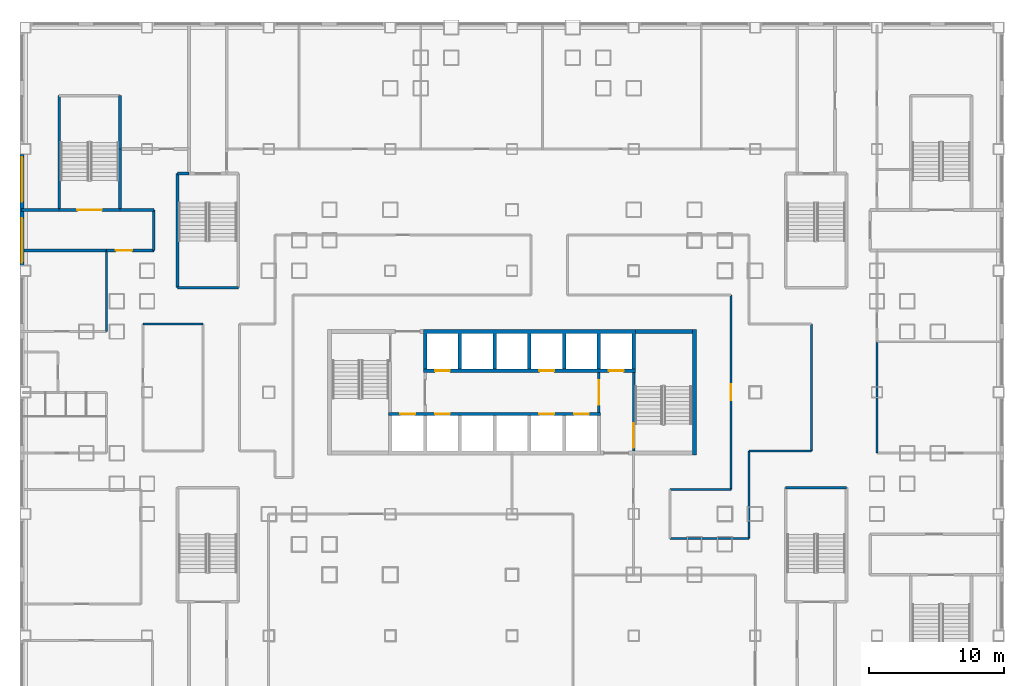
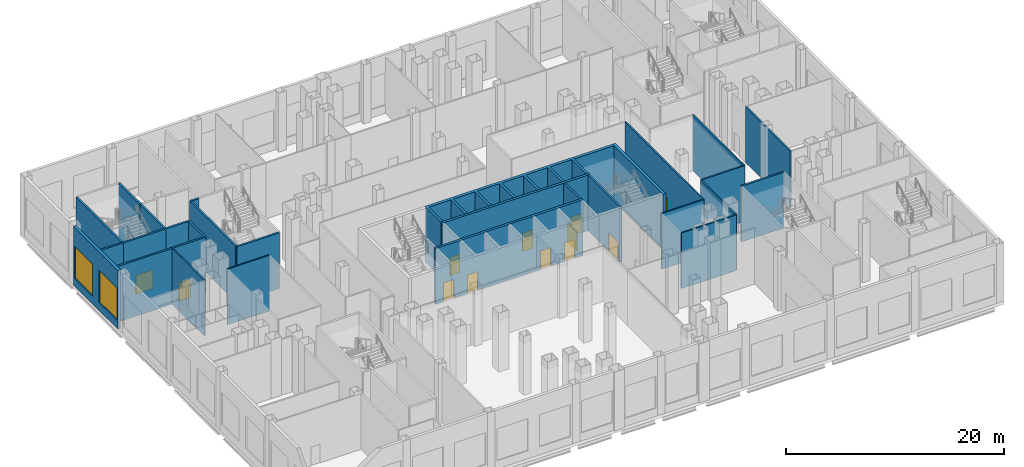
# One storey, part 5 of 26: 30 walls, 12 doors, 2 windows, 14 openings.
"""IFC4 building model written with IfcOpenShell, lengths in metres."""

from ifc_helpers import new_model, si_unit, direction, frame, frame_2d, origin, place, context, subcontext, project, spatial, polyline, rectangle, outline, extrude, material, layer, layer_set, type_object, element, fill, save


model = new_model("IFC4")

# Units and contexts
model_context = context("Model", 3, precision=1e-05, world=origin(), true_north=direction((0.0, 1.0)))
body_context = subcontext(model_context, "Body", "Model", "MODEL_VIEW")
ifc_project = project(units=[si_unit("LENGTHUNIT", "METRE"), si_unit("AREAUNIT", "SQUARE_METRE"), si_unit("VOLUMEUNIT", "CUBIC_METRE"), si_unit("PLANEANGLEUNIT", "RADIAN"), si_unit("MASSUNIT", "GRAM", prefix="KILO")], contexts=[model_context])

# Site, building, storey
site_placement = place(None, origin())
site = spatial("IfcSite", under=ifc_project, at=site_placement, CompositionType="ELEMENT")
building_placement = place(site_placement, origin())
building = spatial("IfcBuilding", under=site, at=building_placement, Name="Caravel Reach Hotel and Residences", CompositionType="ELEMENT")
storey_placement = place(building_placement, frame((0.0, 0.0, 17.39990234375)))
storey = spatial("IfcBuildingStorey", under=building, at=storey_placement, Name="L03", CompositionType="ELEMENT", Elevation=17.39990234375)

# Wall, opening, door
ifc_material_1 = material(Name="Autoclaved aerated block wall")
ifc_layer_1 = layer(ifc_material_1, 0.199951171875)
ifc_layer_set_1 = layer_set([ifc_layer_1], Name="Compartment wall 200 mm EI 120")
wall_type_1 = type_object("IfcWallType", Name="Compartment wall 200 mm EI 120", PredefinedType="PARTITIONING", material=ifc_layer_set_1)
wall_1_placement = place(storey_placement, frame((1.5, 37.5, 0.0), z_axis=(0.0, 0.0, 1.0), x_axis=(1.0, 0.0, 0.0)))
wall_1 = element("IfcWall", 1, at=wall_1_placement, inside=storey, type_object=wall_type_1, Name="L03 wall w073", PredefinedType="PARTITIONING", context=body_context, shape_type="SweptSolid", body=[
    extrude(rectangle(XDim=3.5, YDim=0.199951171875, at=frame_2d((1.75, 0.0))), origin(), (0.0, 0.0, 1.0), 6.25),
])
opening_1_placement = place(wall_1_placement, frame((0.699951171875, 0.0, 0.0)))
opening_1 = element("IfcOpeningElement", 2, at=opening_1_placement, cuts=wall_1, Name="Opening D03-022", PredefinedType="OPENING", context=body_context, shape_type="SweptSolid", body=[
    extrude(rectangle(XDim=1.199951171875, YDim=2.10009765625, at=frame_2d((0.60009765625, 1.050048828125))), frame((0.0, 0.10986328125, 0.0), z_axis=(0.0, -1.0, 0.0), x_axis=(1.0, 0.0, 0.0)), (0.0, 0.0, 1.0), 0.219970703125),
])
ifc_material_2 = material(Name="Steel fire door leaf", Category="steel")
door_type_1 = type_object("IfcDoorType", Name="Fire lobby door 1200 x 2100 EI 90", OperationType="SINGLE_SWING_LEFT", PredefinedType="DOOR", material=ifc_material_2)
door_1_placement = place(opening_1_placement, origin())
door_1 = element("IfcDoor", 3, at=door_1_placement, inside=storey, type_object=door_type_1, Name="door D03-022", OperationType="SINGLE_SWING_LEFT", OverallHeight=2.10009765625, OverallWidth=1.199951171875, PredefinedType="DOOR", context=body_context, shape_type="SweptSolid", body=[
    extrude(rectangle(XDim=1.199951171875, YDim=2.10009765625, at=frame_2d((0.60009765625, 1.050048828125))), frame((0.0, 0.02490234375, 0.0), z_axis=(0.0, -1.0, 0.0), x_axis=(1.0, 0.0, 0.0)), (0.0, 0.0, 1.0), 0.050048828125),
])
fill(opening_1, door_1)

# Walls
wall_2_placement = place(storey_placement, frame((-4.6201171875, 37.5, 0.0), z_axis=(0.0, 0.0, 1.0), x_axis=(1.0, 0.0, 0.0)))
element("IfcWall", 4, at=wall_2_placement, inside=storey, type_object=wall_type_1, Name="L03 wall w074", PredefinedType="PARTITIONING", context=body_context, shape_type="SweptSolid", body=[
    extrude(rectangle(XDim=6.1201171875, YDim=0.199951171875, at=frame_2d((3.06005859375, 0.0))), origin(), (0.0, 0.0, 1.0), 6.25),
])
wall_3_placement = place(storey_placement, frame((2.5, 40.5, 0.0), z_axis=(0.0, 0.0, 1.0), x_axis=(1.0, 0.0, 0.0)))
element("IfcWall", 5, at=wall_3_placement, inside=storey, type_object=wall_type_1, Name="L03 wall w079", PredefinedType="PARTITIONING", context=body_context, shape_type="SweptSolid", body=[
    extrude(rectangle(XDim=2.5, YDim=0.199951171875, at=frame_2d((1.25, 0.0))), origin(), (0.0, 0.0, 1.0), 6.25),
])
wall_4_placement = place(storey_placement, frame((-4.7900390625, 40.5, 0.0), z_axis=(0.0, 0.0, 1.0), x_axis=(1.0, 0.0, 0.0)))
element("IfcWall", 6, at=wall_4_placement, inside=storey, type_object=wall_type_1, Name="L03 wall w080", PredefinedType="PARTITIONING", context=body_context, shape_type="SweptSolid", body=[
    extrude(rectangle(XDim=2.7900390625, YDim=0.199951171875, at=frame_2d((1.39501953125, 0.0))), origin(), (0.0, 0.0, 1.0), 6.25),
])
wall_5_placement = place(storey_placement, frame((5.0, 37.5, 0.0), z_axis=(0.0, 0.0, 1.0), x_axis=(0.0, 1.0, 0.0)))
element("IfcWall", 7, at=wall_5_placement, inside=storey, type_object=wall_type_1, Name="L03 wall w088", PredefinedType="PARTITIONING", context=body_context, shape_type="SweptSolid", body=[
    extrude(rectangle(XDim=3.0, YDim=0.199951171875, at=frame_2d((1.5, 0.0))), origin(), (0.0, 0.0, 1.0), 6.25),
])
ifc_material_3 = material(Name="Concrete C60", Category="concrete")
ifc_layer_2 = layer(ifc_material_3, 0.300048828125)
ifc_layer_set_2 = layer_set([ifc_layer_2], Name="Core wall 300 mm EI 120")
wall_type_2 = type_object("IfcWallType", Name="Core wall 300 mm EI 120", PredefinedType="SHEAR", material=ifc_layer_set_2)
wall_6_placement = place(storey_placement, frame((40.625, 31.5, 0.0), z_axis=(0.0, 0.0, 1.0), x_axis=(1.0, 0.0, 0.0)))
element("IfcWall", 8, at=wall_6_placement, inside=storey, type_object=wall_type_2, Name="L03 core wall N2", PredefinedType="SHEAR", context=body_context, shape_type="SweptSolid", body=[
    extrude(rectangle(XDim=4.22509765625, YDim=0.300048828125, at=frame_2d((2.112548828125, 0.0))), origin(), (0.0, 0.0, 1.0), 6.25),
])
wall_7_placement = place(storey_placement, frame((45.0, 22.35009765625, 0.0), z_axis=(0.0, 0.0, 1.0), x_axis=(0.0, 1.0, 0.0)))
element("IfcWall", 9, at=wall_7_placement, inside=storey, type_object=wall_type_2, Name="L03 core wall E", PredefinedType="SHEAR", context=body_context, shape_type="SweptSolid", body=[
    extrude(rectangle(XDim=9.2998046875, YDim=0.300048828125, at=frame_2d((4.64990234375, 0.0))), origin(), (0.0, 0.0, 1.0), 6.25),
])
ifc_material_4 = material(Name="Gypsum board on steel stud, fire-rated", Category="steel")
ifc_layer_3 = layer(ifc_material_4, 0.14990234375)
ifc_layer_set_3 = layer_set([ifc_layer_3], Name="Corridor wall 150 mm EI 60")
wall_type_3 = type_object("IfcWallType", Name="Corridor wall 150 mm EI 60", PredefinedType="PARTITIONING", material=ifc_layer_set_3)
wall_8_placement = place(storey_placement, frame((43.199951171875, 16.199951171875, 0.0), z_axis=(0.0, 0.0, 1.0), x_axis=(1.0, 0.0, 0.0)))
element("IfcWall", 10, at=wall_8_placement, inside=storey, type_object=wall_type_3, Name="L03 wall w004", PredefinedType="PARTITIONING", context=body_context, shape_type="SweptSolid", body=[
    extrude(rectangle(XDim=5.85009765625, YDim=0.14990234375, at=frame_2d((2.925048828125, 0.0))), origin(), (0.0, 0.0, 1.0), 6.25),
])
wall_9_placement = place(storey_placement, frame((43.199951171875, 19.800048828125, 0.0), z_axis=(0.0, 0.0, 1.0), x_axis=(1.0, 0.0, 0.0)))
element("IfcWall", 11, at=wall_9_placement, inside=storey, type_object=wall_type_3, Name="L03 wall w006", PredefinedType="PARTITIONING", context=body_context, shape_type="SweptSolid", body=[
    extrude(rectangle(XDim=4.5, YDim=0.14990234375, at=frame_2d((2.25, 0.0))), origin(), (0.0, 0.0, 1.0), 6.25),
])
wall_10_placement = place(storey_placement, frame((49.050048828125, 22.64990234375, 0.0), z_axis=(0.0, 0.0, 1.0), x_axis=(1.0, 0.0, 0.0)))
element("IfcWall", 12, at=wall_10_placement, inside=storey, type_object=wall_type_3, Name="L03 wall w012", PredefinedType="PARTITIONING", context=body_context, shape_type="SweptSolid", body=[
    extrude(rectangle(XDim=4.599853515625, YDim=0.14990234375, at=frame_2d((2.2998046875, 0.0))), origin(), (0.0, 0.0, 1.0), 6.25),
])
wall_11_placement = place(storey_placement, frame((4.199951171875, 32.050048828125, 0.0), z_axis=(0.0, 0.0, 1.0), x_axis=(1.0, 0.0, 0.0)))
element("IfcWall", 13, at=wall_11_placement, inside=storey, type_object=wall_type_3, Name="L03 wall w020", PredefinedType="PARTITIONING", context=body_context, shape_type="SweptSolid", body=[
    extrude(rectangle(XDim=4.449951171875, YDim=0.14990234375, at=frame_2d((2.22509765625, 0.0))), origin(), (0.0, 0.0, 1.0), 6.25),
])
wall_12_placement = place(storey_placement, frame((1.5, 31.5, 0.0), z_axis=(0.0, 0.0, 1.0), x_axis=(0.0, 1.0, 0.0)))
element("IfcWall", 14, at=wall_12_placement, inside=storey, type_object=wall_type_3, Name="L03 wall w033", PredefinedType="PARTITIONING", context=body_context, shape_type="SweptSolid", body=[
    extrude(rectangle(XDim=6.0, YDim=0.14990234375, at=frame_2d((3.0, 0.0))), origin(), (0.0, 0.0, 1.0), 6.25),
])

# Wall, opening, door
wall_13_placement = place(storey_placement, frame((47.699951171875, 19.800048828125, 0.0), z_axis=(0.0, 0.0, 1.0), x_axis=(0.0, 1.0, 0.0)))
wall_13 = element("IfcWall", 15, at=wall_13_placement, inside=storey, type_object=wall_type_3, Name="L03 wall w047", PredefinedType="PARTITIONING", context=body_context, shape_type="SweptSolid", body=[
    extrude(rectangle(XDim=14.39990234375, YDim=0.14990234375, at=frame_2d((7.199951171875, 0.0))), origin(), (0.0, 0.0, 1.0), 6.25),
])
opening_2_placement = place(wall_13_placement, frame((6.60009765625, 0.0, 0.0)))
opening_2 = element("IfcOpeningElement", 16, at=opening_2_placement, cuts=wall_13, Name="Opening D03-045", PredefinedType="OPENING", context=body_context, shape_type="SweptSolid", body=[
    extrude(rectangle(XDim=1.199951171875, YDim=2.39990234375, at=frame_2d((0.60009765625, 1.199951171875))), frame((0.0, 0.0849609375, 0.0), z_axis=(0.0, -1.0, 0.0), x_axis=(1.0, 0.0, 0.0)), (0.0, 0.0, 1.0), 0.169921875),
])
ifc_material_5 = material(Name="Timber and steel door leaf", Category="steel")
door_type_2 = type_object("IfcDoorType", Name="Glazed door 1200 x 2400", OperationType="SINGLE_SWING_LEFT", PredefinedType="DOOR", material=ifc_material_5)
door_2_placement = place(opening_2_placement, origin())
door_2 = element("IfcDoor", 17, at=door_2_placement, inside=storey, type_object=door_type_2, Name="door D03-045", OperationType="SINGLE_SWING_RIGHT", OverallHeight=2.39990234375, OverallWidth=1.199951171875, PredefinedType="DOOR", context=body_context, shape_type="SweptSolid", body=[
    extrude(rectangle(XDim=1.199951171875, YDim=2.39990234375, at=frame_2d((0.60009765625, 1.199951171875))), frame((0.0, 0.02490234375, 0.0), z_axis=(0.0, -1.0, 0.0), x_axis=(1.0, 0.0, 0.0)), (0.0, 0.0, 1.0), 0.050048828125),
])
fill(opening_2, door_2)

# Walls
wall_14_placement = place(storey_placement, frame((49.050048828125, 16.199951171875, 0.0), z_axis=(0.0, 0.0, 1.0), x_axis=(0.0, 1.0, 0.0)))
element("IfcWall", 18, at=wall_14_placement, inside=storey, type_object=wall_type_3, Name="L03 wall w048", PredefinedType="PARTITIONING", context=body_context, shape_type="SweptSolid", body=[
    extrude(rectangle(XDim=6.449951171875, YDim=0.14990234375, at=frame_2d((3.22509765625, 0.0))), origin(), (0.0, 0.0, 1.0), 6.25),
])
wall_15_placement = place(storey_placement, frame((53.64990234375, 22.64990234375, 0.0), z_axis=(0.0, 0.0, 1.0), x_axis=(0.0, 1.0, 0.0)))
element("IfcWall", 19, at=wall_15_placement, inside=storey, type_object=wall_type_3, Name="L03 wall w051", PredefinedType="PARTITIONING", context=body_context, shape_type="SweptSolid", body=[
    extrude(rectangle(XDim=9.400146484375, YDim=0.14990234375, at=frame_2d((4.7001953125, 0.0))), origin(), (0.0, 0.0, 1.0), 6.25),
])
wall_16_placement = place(storey_placement, frame((58.5, 22.5, 0.0), z_axis=(0.0, 0.0, 1.0), x_axis=(0.0, 1.0, 0.0)))
element("IfcWall", 20, at=wall_16_placement, inside=storey, type_object=wall_type_3, Name="L03 wall w053", PredefinedType="PARTITIONING", context=body_context, shape_type="SweptSolid", body=[
    extrude(rectangle(XDim=8.25, YDim=0.14990234375, at=frame_2d((4.125, 0.0))), origin(), (0.0, 0.0, 1.0), 6.25),
])

# Wall, openings, windows
ifc_material_6 = material(Name="Insulated wall, stone cladding", Category="masonry")
ifc_layer_4 = layer(ifc_material_6, 0.300048828125)
ifc_layer_set_4 = layer_set([ifc_layer_4], Name="EW2 Podium stone-clad wall")
wall_type_4 = type_object("IfcWallType", Name="EW2 Podium stone-clad wall", PredefinedType="SOLIDWALL", material=ifc_layer_set_4)
wall_17_placement = place(storey_placement, frame((-4.75, 44.60009765625, 0.0), z_axis=(0.0, 0.0, 1.0), x_axis=(0.0, -1.0, 0.0)))
wall_17 = element("IfcWall", 21, at=wall_17_placement, inside=storey, type_object=wall_type_4, Name="External wall L03 W3.2", PredefinedType="SOLIDWALL", context=body_context, shape_type="SweptSolid", body=[
    extrude(rectangle(XDim=8.2001953125, YDim=0.300048828125, at=frame_2d((4.10009765625, 0.0))), origin(), (0.0, 0.0, 1.0), 6.60009765625),
])
opening_3_placement = place(wall_17_placement, frame((0.199951171875, 0.0, 0.89990234375)))
opening_3 = element("IfcOpeningElement", 22, at=opening_3_placement, cuts=wall_17, Name="Opening WN31", PredefinedType="OPENING", context=body_context, shape_type="SweptSolid", body=[
    extrude(rectangle(XDim=3.300048828125, YDim=3.60009765625, at=frame_2d((1.64990234375, 1.800048828125))), frame((0.0, 0.159912109375, 0.0), z_axis=(0.0, -1.0, 0.0), x_axis=(1.0, 0.0, 0.0)), (0.0, 0.0, 1.0), 0.320068359375),
])
opening_4_placement = place(wall_17_placement, frame((4.699951171875, 0.0, 0.89990234375)))
opening_4 = element("IfcOpeningElement", 23, at=opening_4_placement, cuts=wall_17, Name="Opening WN31", PredefinedType="OPENING", context=body_context, shape_type="SweptSolid", body=[
    extrude(rectangle(XDim=3.300048828125, YDim=3.60009765625, at=frame_2d((1.64990234375, 1.800048828125))), frame((0.0, 0.159912109375, 0.0), z_axis=(0.0, -1.0, 0.0), x_axis=(1.0, 0.0, 0.0)), (0.0, 0.0, 1.0), 0.320068359375),
])
ifc_material_7 = material(Name="Dark low-e glazing in black aluminium frame", Category="aluminium")
window_type = type_object("IfcWindowType", Name="Podium window 3300 x 3600", PartitioningType="SINGLE_PANEL", PredefinedType="WINDOW", material=ifc_material_7)
window_1_placement = place(opening_3_placement, origin())
window_1 = element("IfcWindow", 24, at=window_1_placement, inside=storey, type_object=window_type, Name="Window L03 W3.2.1", OverallHeight=3.60009765625, OverallWidth=3.300048828125, PartitioningType="SINGLE_PANEL", PredefinedType="WINDOW", context=body_context, shape_type="SweptSolid", body=[
    extrude(rectangle(XDim=3.300048828125, YDim=3.60009765625, at=frame_2d((1.64990234375, 1.800048828125))), frame((0.0, 0.030029296875, 0.0), z_axis=(0.0, -1.0, 0.0), x_axis=(1.0, 0.0, 0.0)), (0.0, 0.0, 1.0), 0.06005859375),
])
fill(opening_3, window_1)
window_2_placement = place(opening_4_placement, origin())
window_2 = element("IfcWindow", 25, at=window_2_placement, inside=storey, type_object=window_type, Name="Window L03 W3.2.2", OverallHeight=3.60009765625, OverallWidth=3.300048828125, PartitioningType="SINGLE_PANEL", PredefinedType="WINDOW", context=body_context, shape_type="SweptSolid", body=[
    extrude(rectangle(XDim=3.300048828125, YDim=3.60009765625, at=frame_2d((1.64990234375, 1.800048828125))), frame((0.0, 0.030029296875, 0.0), z_axis=(0.0, -1.0, 0.0), x_axis=(1.0, 0.0, 0.0)), (0.0, 0.0, 1.0), 0.06005859375),
])
fill(opening_4, window_2)

# Wall, opening, door
ifc_material_8 = material(Name="Autoclaved aerated block wall")
ifc_layer_5 = layer(ifc_material_8, 0.199951171875)
ifc_layer_set_5 = layer_set([ifc_layer_5], Name="Fire lobby wall 200 mm EI 120")
wall_type_5 = type_object("IfcWallType", Name="Fire lobby wall 200 mm EI 120", PredefinedType="PARTITIONING", material=ifc_layer_set_5)
wall_18_placement = place(storey_placement, frame((37.928466796875, 25.52490234375, 0.0), z_axis=(0.0, 0.0, 1.0), x_axis=(0.0, 1.0, 0.0)))
wall_18 = element("IfcWall", 26, at=wall_18_placement, inside=storey, type_object=wall_type_5, Name="L03 lobby E wall", PredefinedType="PARTITIONING", context=body_context, shape_type="SweptSolid", body=[
    extrude(rectangle(XDim=2.9501953125, YDim=0.199951171875, at=frame_2d((1.47509765625, 0.0))), origin(), (0.0, 0.0, 1.0), 6.25),
])
opening_5_placement = place(wall_18_placement, frame((0.574951171875, 0.0, 0.0)))
opening_5 = element("IfcOpeningElement", 27, at=opening_5_placement, cuts=wall_18, Name="Opening D03-011", PredefinedType="OPENING", context=body_context, shape_type="SweptSolid", body=[
    extrude(rectangle(XDim=1.800048828125, YDim=2.10009765625, at=frame_2d((0.89990234375, 1.050048828125))), frame((0.0, 0.10986328125, 0.0), z_axis=(0.0, -1.0, 0.0), x_axis=(1.0, 0.0, 0.0)), (0.0, 0.0, 1.0), 0.219970703125),
])
ifc_material_9 = material(Name="Steel fire door leaf", Category="steel")
door_type_3 = type_object("IfcDoorType", Name="Fire lobby door pair 1800 x 2100 EI 90", OperationType="DOUBLE_DOOR_SINGLE_SWING", PredefinedType="DOOR", material=ifc_material_9)
door_3_placement = place(opening_5_placement, origin())
door_3 = element("IfcDoor", 28, at=door_3_placement, inside=storey, type_object=door_type_3, Name="lobby E door pair", OperationType="DOUBLE_DOOR_SINGLE_SWING", OverallHeight=2.10009765625, OverallWidth=1.800048828125, PredefinedType="DOOR", context=body_context, shape_type="SweptSolid", body=[
    extrude(rectangle(XDim=1.800048828125, YDim=2.10009765625, at=frame_2d((0.89990234375, 1.050048828125))), frame((0.0, 0.02490234375, 0.0), z_axis=(0.0, -1.0, 0.0), x_axis=(1.0, 0.0, 0.0)), (0.0, 0.0, 1.0), 0.050048828125),
])
fill(opening_5, door_3)

# Wall
ifc_material_10 = material(Name="Concrete C60", Category="concrete")
ifc_layer_6 = layer(ifc_material_10, 0.25)
ifc_layer_set_6 = layer_set([ifc_layer_6], Name="Shaft wall 250 mm EI 120")
wall_type_6 = type_object("IfcWallType", Name="Shaft wall 250 mm EI 120", PredefinedType="SHEAR", material=ifc_layer_set_6)
wall_19_placement = place(storey_placement, origin())
element("IfcWall", 29, at=wall_19_placement, inside=storey, type_object=wall_type_6, Name="L03 lift shaft wall N1", PredefinedType="SHEAR", context=body_context, shape_type="SweptSolid", body=[
    extrude(outline(polyline([(24.946533203125, 28.72509765625), (25.196533203125, 28.72509765625), (25.196533203125, 31.35009765625), (27.517822265625, 31.35009765625), (27.517822265625, 28.72509765625), (27.767822265625, 28.72509765625), (27.767822265625, 31.35009765625), (30.08935546875, 31.35009765625), (30.08935546875, 28.72509765625), (30.33935546875, 28.72509765625), (30.33935546875, 31.35009765625), (32.66064453125, 31.35009765625), (32.66064453125, 28.72509765625), (32.91064453125, 28.72509765625), (32.91064453125, 31.35009765625), (35.232177734375, 31.35009765625), (35.232177734375, 28.72509765625), (35.482177734375, 28.72509765625), (35.482177734375, 31.35009765625), (37.803466796875, 31.35009765625), (37.803466796875, 28.72509765625), (38.053466796875, 28.72509765625), (38.053466796875, 31.35009765625), (40.375, 31.35009765625), (40.375, 28.72509765625), (40.625, 28.72509765625), (40.625, 31.64990234375), (24.946533203125, 31.64990234375), (24.946533203125, 28.72509765625)])), origin(), (0.0, 0.0, 1.0), 6.25),
])

# Wall, openings, doors
wall_20_placement = place(storey_placement, frame((22.375, 25.39990234375, 0.0), z_axis=(0.0, 0.0, 1.0), x_axis=(1.0, 0.0, 0.0)))
wall_20 = element("IfcWall", 30, at=wall_20_placement, inside=storey, type_object=wall_type_6, Name="L03 lobby wall S1", PredefinedType="SHEAR", context=body_context, shape_type="SweptSolid", body=[
    extrude(rectangle(XDim=15.678466796875, YDim=0.25, at=frame_2d((7.83935546875, 0.0))), origin(), (0.0, 0.0, 1.0), 6.25),
])
opening_6_placement = place(wall_20_placement, frame((3.43212890625, 0.0, 0.0)))
opening_6 = element("IfcOpeningElement", 31, at=opening_6_placement, cuts=wall_20, Name="Opening D03-001", PredefinedType="OPENING", context=body_context, shape_type="SweptSolid", body=[
    extrude(rectangle(XDim=1.10009765625, YDim=2.10009765625, at=frame_2d((0.550048828125, 1.050048828125))), frame((0.0, 0.135009765625, 0.0), z_axis=(0.0, -1.0, 0.0), x_axis=(1.0, 0.0, 0.0)), (0.0, 0.0, 1.0), 0.27001953125),
])
opening_7_placement = place(wall_20_placement, frame((11.146484375, 0.0, 0.0)))
opening_7 = element("IfcOpeningElement", 32, at=opening_7_placement, cuts=wall_20, Name="Opening D03-002", PredefinedType="OPENING", context=body_context, shape_type="SweptSolid", body=[
    extrude(rectangle(XDim=1.10009765625, YDim=2.10009765625, at=frame_2d((0.550048828125, 1.050048828125))), frame((0.0, 0.135009765625, 0.0), z_axis=(0.0, -1.0, 0.0), x_axis=(1.0, 0.0, 0.0)), (0.0, 0.0, 1.0), 0.27001953125),
])
opening_8_placement = place(wall_20_placement, frame((13.718017578125, 0.0, 0.0)))
opening_8 = element("IfcOpeningElement", 33, at=opening_8_placement, cuts=wall_20, Name="Opening D03-003", PredefinedType="OPENING", context=body_context, shape_type="SweptSolid", body=[
    extrude(rectangle(XDim=1.10009765625, YDim=2.10009765625, at=frame_2d((0.550048828125, 1.050048828125))), frame((0.0, 0.135009765625, 0.0), z_axis=(0.0, -1.0, 0.0), x_axis=(1.0, 0.0, 0.0)), (0.0, 0.0, 1.0), 0.27001953125),
])
opening_9_placement = place(wall_20_placement, frame((0.860595703125, 0.0, 0.0)))
opening_9 = element("IfcOpeningElement", 34, at=opening_9_placement, cuts=wall_20, Name="Opening D03-006", PredefinedType="OPENING", context=body_context, shape_type="SweptSolid", body=[
    extrude(rectangle(XDim=1.10009765625, YDim=2.10009765625, at=frame_2d((0.550048828125, 1.050048828125))), frame((0.0, 0.135009765625, 0.0), z_axis=(0.0, -1.0, 0.0), x_axis=(1.0, 0.0, 0.0)), (0.0, 0.0, 1.0), 0.27001953125),
])
ifc_material_11 = material(Name="Stainless steel landing door", Category="steel")
door_type_4 = type_object("IfcDoorType", Name="Landing door LD 1100 x 2100 sliding", OperationType="DOUBLE_DOOR_SLIDING", PredefinedType="DOOR", material=ifc_material_11)
door_4_placement = place(opening_6_placement, origin())
door_4 = element("IfcDoor", 35, at=door_4_placement, inside=storey, type_object=door_type_4, Name="LP1 landing door", OperationType="DOUBLE_DOOR_SLIDING", OverallHeight=2.10009765625, OverallWidth=1.10009765625, PredefinedType="DOOR", context=body_context, shape_type="SweptSolid", body=[
    extrude(rectangle(XDim=1.10009765625, YDim=2.10009765625, at=frame_2d((0.550048828125, 1.050048828125))), frame((0.0, 0.02490234375, 0.0), z_axis=(0.0, -1.0, 0.0), x_axis=(1.0, 0.0, 0.0)), (0.0, 0.0, 1.0), 0.050048828125),
])
fill(opening_6, door_4)
door_5_placement = place(opening_7_placement, origin())
door_5 = element("IfcDoor", 36, at=door_5_placement, inside=storey, type_object=door_type_4, Name="LP2 landing door", OperationType="DOUBLE_DOOR_SLIDING", OverallHeight=2.10009765625, OverallWidth=1.10009765625, PredefinedType="DOOR", context=body_context, shape_type="SweptSolid", body=[
    extrude(rectangle(XDim=1.10009765625, YDim=2.10009765625, at=frame_2d((0.550048828125, 1.050048828125))), frame((0.0, 0.02490234375, 0.0), z_axis=(0.0, -1.0, 0.0), x_axis=(1.0, 0.0, 0.0)), (0.0, 0.0, 1.0), 0.050048828125),
])
fill(opening_7, door_5)
door_6_placement = place(opening_8_placement, origin())
door_6 = element("IfcDoor", 37, at=door_6_placement, inside=storey, type_object=door_type_4, Name="LP3 landing door", OperationType="DOUBLE_DOOR_SLIDING", OverallHeight=2.10009765625, OverallWidth=1.10009765625, PredefinedType="DOOR", context=body_context, shape_type="SweptSolid", body=[
    extrude(rectangle(XDim=1.10009765625, YDim=2.10009765625, at=frame_2d((0.550048828125, 1.050048828125))), frame((0.0, 0.02490234375, 0.0), z_axis=(0.0, -1.0, 0.0), x_axis=(1.0, 0.0, 0.0)), (0.0, 0.0, 1.0), 0.050048828125),
])
fill(opening_8, door_6)
door_7_placement = place(opening_9_placement, origin())
door_7 = element("IfcDoor", 38, at=door_7_placement, inside=storey, type_object=door_type_4, Name="FL1 landing door", OperationType="DOUBLE_DOOR_SLIDING", OverallHeight=2.10009765625, OverallWidth=1.10009765625, PredefinedType="DOOR", context=body_context, shape_type="SweptSolid", body=[
    extrude(rectangle(XDim=1.10009765625, YDim=2.10009765625, at=frame_2d((0.550048828125, 1.050048828125))), frame((0.0, 0.02490234375, 0.0), z_axis=(0.0, -1.0, 0.0), x_axis=(1.0, 0.0, 0.0)), (0.0, 0.0, 1.0), 0.050048828125),
])
fill(opening_9, door_7)

wall_21_placement = place(storey_placement, frame((24.946533203125, 28.60009765625, 0.0), z_axis=(0.0, 0.0, 1.0), x_axis=(1.0, 0.0, 0.0)))
wall_21 = element("IfcWall", 39, at=wall_21_placement, inside=storey, type_object=wall_type_6, Name="L03 lobby wall N1", PredefinedType="SHEAR", context=body_context, shape_type="SweptSolid", body=[
    extrude(rectangle(XDim=15.678466796875, YDim=0.25, at=frame_2d((7.83935546875, 0.0))), origin(), (0.0, 0.0, 1.0), 6.25),
])
opening_10_placement = place(wall_21_placement, frame((0.860595703125, 0.0, 0.0)))
opening_10 = element("IfcOpeningElement", 40, at=opening_10_placement, cuts=wall_21, Name="Opening D03-004", PredefinedType="OPENING", context=body_context, shape_type="SweptSolid", body=[
    extrude(rectangle(XDim=1.10009765625, YDim=2.10009765625, at=frame_2d((0.550048828125, 1.050048828125))), frame((0.0, 0.135009765625, 0.0), z_axis=(0.0, -1.0, 0.0), x_axis=(1.0, 0.0, 0.0)), (0.0, 0.0, 1.0), 0.27001953125),
])
opening_11_placement = place(wall_21_placement, frame((8.574951171875, 0.0, 0.0)))
opening_11 = element("IfcOpeningElement", 41, at=opening_11_placement, cuts=wall_21, Name="Opening D03-005", PredefinedType="OPENING", context=body_context, shape_type="SweptSolid", body=[
    extrude(rectangle(XDim=1.10009765625, YDim=2.10009765625, at=frame_2d((0.550048828125, 1.050048828125))), frame((0.0, 0.135009765625, 0.0), z_axis=(0.0, -1.0, 0.0), x_axis=(1.0, 0.0, 0.0)), (0.0, 0.0, 1.0), 0.27001953125),
])
opening_12_placement = place(wall_21_placement, frame((13.718017578125, 0.0, 0.0)))
opening_12 = element("IfcOpeningElement", 42, at=opening_12_placement, cuts=wall_21, Name="Opening D03-007", PredefinedType="OPENING", context=body_context, shape_type="SweptSolid", body=[
    extrude(rectangle(XDim=1.10009765625, YDim=2.10009765625, at=frame_2d((0.550048828125, 1.050048828125))), frame((0.0, 0.135009765625, 0.0), z_axis=(0.0, -1.0, 0.0), x_axis=(1.0, 0.0, 0.0)), (0.0, 0.0, 1.0), 0.27001953125),
])
door_8_placement = place(opening_10_placement, origin())
door_8 = element("IfcDoor", 43, at=door_8_placement, inside=storey, type_object=door_type_4, Name="LP4 landing door", OperationType="DOUBLE_DOOR_SLIDING", OverallHeight=2.10009765625, OverallWidth=1.10009765625, PredefinedType="DOOR", context=body_context, shape_type="SweptSolid", body=[
    extrude(rectangle(XDim=1.10009765625, YDim=2.10009765625, at=frame_2d((0.550048828125, 1.050048828125))), frame((0.0, 0.02490234375, 0.0), z_axis=(0.0, -1.0, 0.0), x_axis=(1.0, 0.0, 0.0)), (0.0, 0.0, 1.0), 0.050048828125),
])
fill(opening_10, door_8)
door_9_placement = place(opening_11_placement, origin())
door_9 = element("IfcDoor", 44, at=door_9_placement, inside=storey, type_object=door_type_4, Name="LP5 landing door", OperationType="DOUBLE_DOOR_SLIDING", OverallHeight=2.10009765625, OverallWidth=1.10009765625, PredefinedType="DOOR", context=body_context, shape_type="SweptSolid", body=[
    extrude(rectangle(XDim=1.10009765625, YDim=2.10009765625, at=frame_2d((0.550048828125, 1.050048828125))), frame((0.0, 0.02490234375, 0.0), z_axis=(0.0, -1.0, 0.0), x_axis=(1.0, 0.0, 0.0)), (0.0, 0.0, 1.0), 0.050048828125),
])
fill(opening_11, door_9)
door_10_placement = place(opening_12_placement, origin())
door_10 = element("IfcDoor", 45, at=door_10_placement, inside=storey, type_object=door_type_4, Name="FL2 landing door", OperationType="DOUBLE_DOOR_SLIDING", OverallHeight=2.10009765625, OverallWidth=1.10009765625, PredefinedType="DOOR", context=body_context, shape_type="SweptSolid", body=[
    extrude(rectangle(XDim=1.10009765625, YDim=2.10009765625, at=frame_2d((0.550048828125, 1.050048828125))), frame((0.0, 0.02490234375, 0.0), z_axis=(0.0, -1.0, 0.0), x_axis=(1.0, 0.0, 0.0)), (0.0, 0.0, 1.0), 0.050048828125),
])
fill(opening_12, door_10)

# Wall, opening, door
ifc_material_12 = material(Name="Concrete C60", Category="concrete")
ifc_layer_7 = layer(ifc_material_12, 0.199951171875)
ifc_layer_set_7 = layer_set([ifc_layer_7], Name="Stair enclosure wall 200 mm EI 120")
wall_type_7 = type_object("IfcWallType", Name="Stair enclosure wall 200 mm EI 120", PredefinedType="SHEAR", material=ifc_layer_set_7)
wall_22_placement = place(storey_placement, frame((40.5, 22.64990234375, 0.0), z_axis=(0.0, 0.0, 1.0), x_axis=(0.0, 1.0, 0.0)))
wall_22 = element("IfcWall", 46, at=wall_22_placement, inside=storey, type_object=wall_type_7, Name="L03 stair B wall", PredefinedType="SHEAR", context=body_context, shape_type="SweptSolid", body=[
    extrude(rectangle(XDim=5.8251953125, YDim=0.199951171875, at=frame_2d((2.91259765625, 0.0))), origin(), (0.0, 0.0, 1.0), 6.25),
])
opening_13_placement = place(wall_22_placement, frame((0.25, 0.0, 0.0)))
opening_13 = element("IfcOpeningElement", 47, at=opening_13_placement, cuts=wall_22, Name="Opening D03-009", PredefinedType="OPENING", context=body_context, shape_type="SweptSolid", body=[
    extrude(rectangle(XDim=1.800048828125, YDim=2.10009765625, at=frame_2d((0.89990234375, 1.050048828125))), frame((0.0, 0.10986328125, 0.0), z_axis=(0.0, -1.0, 0.0), x_axis=(1.0, 0.0, 0.0)), (0.0, 0.0, 1.0), 0.219970703125),
])
ifc_material_13 = material(Name="Steel fire door leaf", Category="steel")
door_type_5 = type_object("IfcDoorType", Name="Stair door pair 1800 x 2100 EI 90", OperationType="DOUBLE_DOOR_SINGLE_SWING", PredefinedType="DOOR", material=ifc_material_13)
door_11_placement = place(opening_13_placement, origin())
door_11 = element("IfcDoor", 48, at=door_11_placement, inside=storey, type_object=door_type_5, Name="stair B door pair", OperationType="DOUBLE_DOOR_SINGLE_SWING", OverallHeight=2.10009765625, OverallWidth=1.800048828125, PredefinedType="DOOR", context=body_context, shape_type="SweptSolid", body=[
    extrude(rectangle(XDim=1.800048828125, YDim=2.10009765625, at=frame_2d((0.89990234375, 1.050048828125))), frame((0.0, 0.02490234375, 0.0), z_axis=(0.0, -1.0, 0.0), x_axis=(1.0, 0.0, 0.0)), (0.0, 0.0, 1.0), 0.050048828125),
])
fill(opening_13, door_11)

# Walls
for number, where, z_axis, x_axis, name in (
    (49, (51.75, 19.949951171875, 0.0), (0.0, 0.0, 1.0), (1.0, 0.0, 0.0), "L03 wall w107"),
    (50, (6.75, 34.75, 0.0), (0.0, 0.0, 1.0), (1.0, 0.0, 0.0), "L03 wall w108"),
):
    element("IfcWall", number, at=place(storey_placement, frame(where, z_axis=z_axis, x_axis=x_axis)), inside=storey, type_object=wall_type_7, Name=name, PredefinedType="SHEAR", context=body_context, shape_type="SweptSolid", body=[
        extrude(rectangle(XDim=4.5, YDim=0.199951171875, at=frame_2d((2.25, 0.0))), origin(), (0.0, 0.0, 1.0), 6.25),
    ])

# Wall, opening, door
wall_23_placement = place(storey_placement, frame((-2.0, 40.5, 0.0), z_axis=(0.0, 0.0, 1.0), x_axis=(1.0, 0.0, 0.0)))
wall_23 = element("IfcWall", 51, at=wall_23_placement, inside=storey, type_object=wall_type_7, Name="L03 wall w110", PredefinedType="SHEAR", context=body_context, shape_type="SweptSolid", body=[
    extrude(rectangle(XDim=4.5, YDim=0.199951171875, at=frame_2d((2.25, 0.0))), origin(), (0.0, 0.0, 1.0), 6.25),
])
opening_14_placement = place(wall_23_placement, frame((1.35009765625, 0.0, 0.0)))
opening_14 = element("IfcOpeningElement", 52, at=opening_14_placement, cuts=wall_23, Name="Opening D03-023", PredefinedType="OPENING", context=body_context, shape_type="SweptSolid", body=[
    extrude(rectangle(XDim=1.800048828125, YDim=2.10009765625, at=frame_2d((0.89990234375, 1.050048828125))), frame((0.0, 0.10986328125, 0.0), z_axis=(0.0, -1.0, 0.0), x_axis=(1.0, 0.0, 0.0)), (0.0, 0.0, 1.0), 0.219970703125),
])
door_12_placement = place(opening_14_placement, origin())
door_12 = element("IfcDoor", 53, at=door_12_placement, inside=storey, type_object=door_type_5, Name="door D03-023", OperationType="DOUBLE_DOOR_SINGLE_SWING", OverallHeight=2.10009765625, OverallWidth=1.800048828125, PredefinedType="DOOR", context=body_context, shape_type="SweptSolid", body=[
    extrude(rectangle(XDim=1.800048828125, YDim=2.10009765625, at=frame_2d((0.89990234375, 1.050048828125))), frame((0.0, 0.02490234375, 0.0), z_axis=(0.0, -1.0, 0.0), x_axis=(1.0, 0.0, 0.0)), (0.0, 0.0, 1.0), 0.050048828125),
])
fill(opening_14, door_12)

# Walls
wall_24_placement = place(storey_placement, frame((6.75, 43.199951171875, 0.0), z_axis=(0.0, 0.0, 1.0), x_axis=(1.0, 0.0, 0.0)))
element("IfcWall", 54, at=wall_24_placement, inside=storey, type_object=wall_type_7, Name="L03 wall w112", PredefinedType="SHEAR", context=body_context, shape_type="SweptSolid", body=[
    extrude(rectangle(XDim=0.85009765625, YDim=0.199951171875, at=frame_2d((0.425048828125, 0.0))), origin(), (0.0, 0.0, 1.0), 6.25),
])
wall_25_placement = place(storey_placement, frame((-2.0, 40.5, 0.0), z_axis=(0.0, 0.0, 1.0), x_axis=(0.0, 1.0, 0.0)))
element("IfcWall", 55, at=wall_25_placement, inside=storey, type_object=wall_type_7, Name="L03 wall w121", PredefinedType="SHEAR", context=body_context, shape_type="SweptSolid", body=[
    extrude(rectangle(XDim=8.449951171875, YDim=0.199951171875, at=frame_2d((4.22509765625, 0.0))), origin(), (0.0, 0.0, 1.0), 6.25),
])
wall_26_placement = place(storey_placement, frame((2.5, 40.5, 0.0), z_axis=(0.0, 0.0, 1.0), x_axis=(0.0, 1.0, 0.0)))
element("IfcWall", 56, at=wall_26_placement, inside=storey, type_object=wall_type_7, Name="L03 wall w124", PredefinedType="SHEAR", context=body_context, shape_type="SweptSolid", body=[
    extrude(rectangle(XDim=4.5, YDim=0.199951171875, at=frame_2d((2.25, 0.0))), origin(), (0.0, 0.0, 1.0), 6.25),
])
wall_27_placement = place(storey_placement, frame((2.5, 45.0, 0.0), z_axis=(0.0, 0.0, 1.0), x_axis=(0.0, 1.0, 0.0)))
element("IfcWall", 57, at=wall_27_placement, inside=storey, type_object=wall_type_7, Name="L03 wall w125", PredefinedType="SHEAR", context=body_context, shape_type="SweptSolid", body=[
    extrude(rectangle(XDim=3.949951171875, YDim=0.199951171875, at=frame_2d((1.97509765625, 0.0))), origin(), (0.0, 0.0, 1.0), 6.25),
])
wall_28_placement = place(storey_placement, frame((6.75, 34.75, 0.0), z_axis=(0.0, 0.0, 1.0), x_axis=(0.0, 1.0, 0.0)))
element("IfcWall", 58, at=wall_28_placement, inside=storey, type_object=wall_type_7, Name="L03 wall w130", PredefinedType="SHEAR", context=body_context, shape_type="SweptSolid", body=[
    extrude(rectangle(XDim=8.449951171875, YDim=0.199951171875, at=frame_2d((4.22509765625, 0.0))), origin(), (0.0, 0.0, 1.0), 6.25),
])

save(model, "model.ifc")
